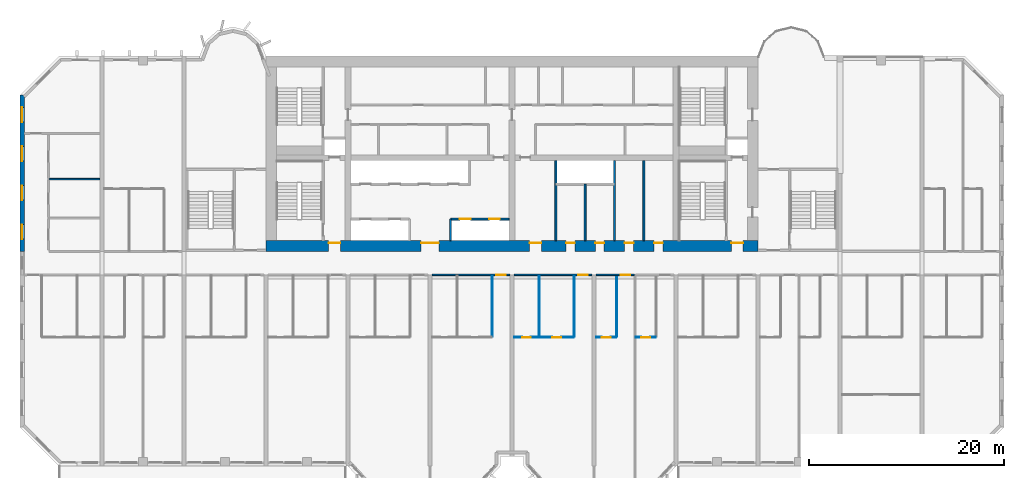
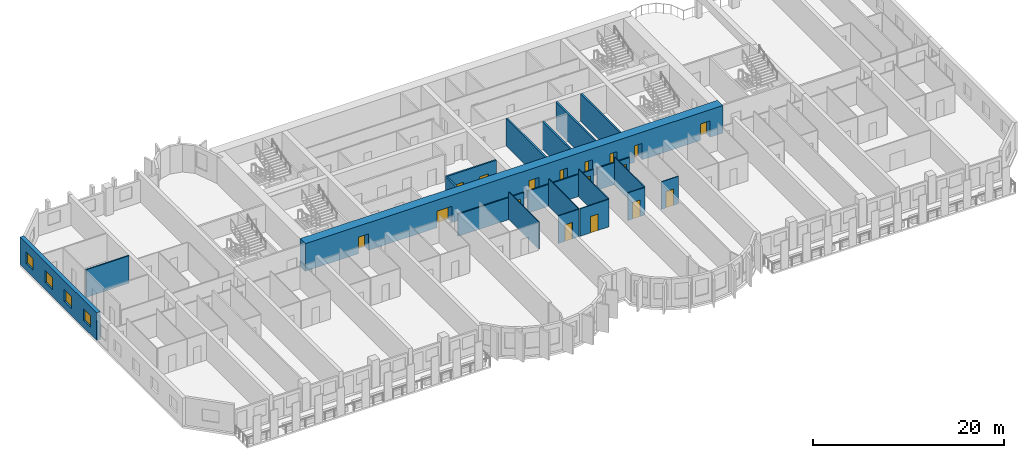
# One storey, part 5 of 14: 20 walls, 17 doors, 4 windows, 21 openings.
"""IFC4 building model written with IfcOpenShell, lengths in metres."""

from ifc_helpers import new_model, si_unit, direction, frame, frame_2d, origin, place, context, subcontext, project, spatial, rectangle, extrude, source, transform, mapped, material, layer, layer_set, type_object, element, fill, save


model = new_model("IFC4")

# Units and contexts
model_context = context("Model", 3, precision=1e-05, world=origin(), true_north=direction((0.0, 1.0)))
body_context = subcontext(model_context, "Body", "Model", "MODEL_VIEW")
ifc_project = project(units=[si_unit("LENGTHUNIT", "METRE"), si_unit("AREAUNIT", "SQUARE_METRE"), si_unit("VOLUMEUNIT", "CUBIC_METRE"), si_unit("PLANEANGLEUNIT", "RADIAN"), si_unit("MASSUNIT", "GRAM", prefix="KILO")], contexts=[model_context])

# Site, building, storey
site_placement = place(None, origin())
site = spatial("IfcSite", under=ifc_project, at=site_placement, CompositionType="ELEMENT")
building_placement = place(site_placement, origin())
building = spatial("IfcBuilding", under=site, at=building_placement, Name="Vanashikhar Sky Hotel", CompositionType="ELEMENT")
storey_placement = place(building_placement, frame((0.0, 0.0, 43.0)))
storey = spatial("IfcBuildingStorey", under=building, at=storey_placement, Name="L09", CompositionType="ELEMENT", Elevation=43.0)

# Wall, openings, doors
ifc_material_1 = material(Name="Concrete M80", Category="concrete")
ifc_layer_1 = layer(ifc_material_1, 1.10009765625)
ifc_layer_set_1 = layer_set([ifc_layer_1], Name="RC core shell wall 1100 Concrete M80")
wall_type_1 = type_object("IfcWallType", Name="RC core shell wall 1100 Concrete M80", PredefinedType="SHEAR", material=ifc_layer_set_1)
shared_shape_1 = source(origin(), body_context, "Body", "SweptSolid", [
    extrude(rectangle(XDim=50.400146484375, YDim=1.10009765625, at=frame_2d((25.2001953125, 0.0))), origin(), (0.0, 0.0, 1.0), 3.52001953125),
])
wall_1_placement = place(storey_placement, frame((25.199951171875, 22.550048828125, 0.0), z_axis=(0.0, 0.0, 1.0), x_axis=(1.0, 0.0, 0.0)))
wall_1 = element("IfcWall", 1, at=wall_1_placement, inside=storey, type_object=wall_type_1, Name="KW-L09-KS", PredefinedType="SHEAR", context=body_context, shape_type="MappedRepresentation", body=[
    mapped(shared_shape_1, transform((0.0, 0.0, 0.0), scale=1.0)),
])
shared_shape_2 = source(origin(), body_context, "Body", "SweptSolid", [
    extrude(rectangle(XDim=1.800048828125, YDim=2.10009765625, at=frame_2d((0.89990234375, 1.050048828125))), frame((0.0, 0.56005859375, 0.0), z_axis=(0.0, -1.0, 0.0), x_axis=(1.0, 0.0, 0.0)), (0.0, 0.0, 1.0), 1.1201171875),
])
opening_1_placement = place(wall_1_placement, frame((15.89990234375, 0.0, 0.0)))
opening_1 = element("IfcOpeningElement", 2, at=opening_1_placement, cuts=wall_1, Name="Opening DC-3-A", PredefinedType="OPENING", context=body_context, shape_type="MappedRepresentation", body=[
    mapped(shared_shape_2, transform((0.0, 0.0, 0.0), scale=1.0)),
])
shared_shape_3 = source(origin(), body_context, "Body", "SweptSolid", [
    extrude(rectangle(XDim=1.199951171875, YDim=2.10009765625, at=frame_2d((0.60009765625, 1.050048828125))), frame((0.0, 0.56005859375, 0.0), z_axis=(0.0, -1.0, 0.0), x_axis=(1.0, 0.0, 0.0)), (0.0, 0.0, 1.0), 1.1201171875),
])
opening_2_placement = place(wall_1_placement, frame((27.0, 0.0, 0.0)))
opening_2 = element("IfcOpeningElement", 3, at=opening_2_placement, cuts=wall_1, Name="Opening DC-4-B", PredefinedType="OPENING", context=body_context, shape_type="MappedRepresentation", body=[
    mapped(shared_shape_3, transform((0.0, 0.0, 0.0), scale=1.0)),
])
shared_shape_4 = source(origin(), body_context, "Body", "SweptSolid", [
    extrude(rectangle(XDim=0.89990234375, YDim=2.10009765625, at=frame_2d((0.449951171875, 1.050048828125))), frame((0.0, 0.56005859375, 0.0), z_axis=(0.0, -1.0, 0.0), x_axis=(1.0, 0.0, 0.0)), (0.0, 0.0, 1.0), 1.1201171875),
])
opening_3_placement = place(wall_1_placement, frame((33.75, 0.0, 0.0)))
opening_3 = element("IfcOpeningElement", 4, at=opening_3_placement, cuts=wall_1, Name="Opening DC-4-A", PredefinedType="OPENING", context=body_context, shape_type="MappedRepresentation", body=[
    mapped(shared_shape_4, transform((0.0, 0.0, 0.0), scale=1.0)),
])
opening_4_placement = place(wall_1_placement, frame((30.75, 0.0, 0.0)))
opening_4 = element("IfcOpeningElement", 5, at=opening_4_placement, cuts=wall_1, Name="Opening DC-4-A", PredefinedType="OPENING", context=body_context, shape_type="MappedRepresentation", body=[
    mapped(shared_shape_4, transform((0.0, 0.0, 0.0), scale=1.0)),
])
opening_5_placement = place(wall_1_placement, frame((39.75, 0.0, 0.0)))
opening_5 = element("IfcOpeningElement", 6, at=opening_5_placement, cuts=wall_1, Name="Opening DC-4-A", PredefinedType="OPENING", context=body_context, shape_type="MappedRepresentation", body=[
    mapped(shared_shape_4, transform((0.0, 0.0, 0.0), scale=1.0)),
])
opening_6_placement = place(wall_1_placement, frame((36.75, 0.0, 0.0)))
opening_6 = element("IfcOpeningElement", 7, at=opening_6_placement, cuts=wall_1, Name="Opening DC-4-A", PredefinedType="OPENING", context=body_context, shape_type="MappedRepresentation", body=[
    mapped(shared_shape_4, transform((0.0, 0.0, 0.0), scale=1.0)),
])
opening_7_placement = place(wall_1_placement, frame((6.425048828125, 0.0, 0.0)))
opening_7 = element("IfcOpeningElement", 8, at=opening_7_placement, cuts=wall_1, Name="Opening DC-2", PredefinedType="OPENING", context=body_context, shape_type="MappedRepresentation", body=[
    mapped(shared_shape_3, transform((0.0, 0.0, 0.0), scale=1.0)),
])
opening_8_placement = place(wall_1_placement, frame((47.675048828125, 0.0, 0.0)))
opening_8 = element("IfcOpeningElement", 9, at=opening_8_placement, cuts=wall_1, Name="Opening DC-2", PredefinedType="OPENING", context=body_context, shape_type="MappedRepresentation", body=[
    mapped(shared_shape_3, transform((0.0, 0.0, 0.0), scale=1.0)),
])
ifc_material_2 = material(Name="Glass", Category="glass")
door_type_1 = type_object("IfcDoorType", Name="Lift lobby entrance door 1800 FD30S", OperationType="NOTDEFINED", PredefinedType="DOOR", material=ifc_material_2)
shared_shape_5 = source(origin(), body_context, "Body", "SweptSolid", [
    extrude(rectangle(XDim=1.800048828125, YDim=2.10009765625, at=frame_2d((0.89990234375, 1.050048828125))), frame((0.0, 0.3251953125, 0.0), z_axis=(0.0, -1.0, 0.0), x_axis=(1.0, 0.0, 0.0)), (0.0, 0.0, 1.0), 0.050048828125),
])
door_1_placement = place(opening_1_placement, origin())
door_1 = element("IfcDoor", 10, at=door_1_placement, inside=storey, type_object=door_type_1, Name="Lift lobby entrance door 1800 FD30S", OperationType="DOUBLE_DOOR_SINGLE_SWING", OverallHeight=2.10009765625, OverallWidth=1.800048828125, PredefinedType="DOOR", context=body_context, shape_type="MappedRepresentation", body=[
    mapped(shared_shape_5, transform((0.0, 0.0, 0.0), scale=1.0)),
])
fill(opening_1, door_1)
ifc_material_3 = material(Name="Steel", Category="steel")
door_type_2 = type_object("IfcDoorType", Name="Service door 1200 FD60", OperationType="NOTDEFINED", PredefinedType="DOOR", material=ifc_material_3)
shared_shape_6 = source(origin(), body_context, "Body", "SweptSolid", [
    extrude(rectangle(XDim=1.199951171875, YDim=2.10009765625, at=frame_2d((0.60009765625, 1.050048828125))), frame((0.0, 0.3251953125, 0.0), z_axis=(0.0, -1.0, 0.0), x_axis=(1.0, 0.0, 0.0)), (0.0, 0.0, 1.0), 0.050048828125),
])
door_2_placement = place(opening_2_placement, origin())
door_2 = element("IfcDoor", 11, at=door_2_placement, inside=storey, type_object=door_type_2, Name="Service door 1200 FD60", OperationType="SINGLE_SWING_RIGHT", OverallHeight=2.10009765625, OverallWidth=1.199951171875, PredefinedType="DOOR", context=body_context, shape_type="MappedRepresentation", body=[
    mapped(shared_shape_6, transform((0.0, 0.0, 0.0), scale=1.0)),
])
fill(opening_2, door_2)
door_type_3 = type_object("IfcDoorType", Name="Firefighting lobby door 1200 FD120", OperationType="NOTDEFINED", PredefinedType="DOOR", material=ifc_material_3)
door_3_placement = place(opening_7_placement, origin())
door_3 = element("IfcDoor", 12, at=door_3_placement, inside=storey, type_object=door_type_3, Name="Firefighting lobby door 1200 FD120", OperationType="SINGLE_SWING_LEFT", OverallHeight=2.10009765625, OverallWidth=1.199951171875, PredefinedType="DOOR", context=body_context, shape_type="MappedRepresentation", body=[
    mapped(shared_shape_6, transform((0.0, 0.0, 0.0), scale=1.0)),
])
fill(opening_7, door_3)
door_4_placement = place(opening_8_placement, origin())
door_4 = element("IfcDoor", 13, at=door_4_placement, inside=storey, type_object=door_type_3, Name="Firefighting lobby door 1200 FD120", OperationType="SINGLE_SWING_RIGHT", OverallHeight=2.10009765625, OverallWidth=1.199951171875, PredefinedType="DOOR", context=body_context, shape_type="MappedRepresentation", body=[
    mapped(shared_shape_6, transform((0.0, 0.0, 0.0), scale=1.0)),
])
fill(opening_8, door_4)
door_type_4 = type_object("IfcDoorType", Name="Service door 900 FD60", OperationType="NOTDEFINED", PredefinedType="DOOR", material=ifc_material_3)
shared_shape_7 = source(origin(), body_context, "Body", "SweptSolid", [
    extrude(rectangle(XDim=0.89990234375, YDim=2.10009765625, at=frame_2d((0.449951171875, 1.050048828125))), frame((0.0, 0.3251953125, 0.0), z_axis=(0.0, -1.0, 0.0), x_axis=(1.0, 0.0, 0.0)), (0.0, 0.0, 1.0), 0.050048828125),
])
door_5_placement = place(opening_3_placement, origin())
door_5 = element("IfcDoor", 14, at=door_5_placement, inside=storey, type_object=door_type_4, Name="Service door 900 FD60", OperationType="SINGLE_SWING_RIGHT", OverallHeight=2.10009765625, OverallWidth=0.89990234375, PredefinedType="DOOR", context=body_context, shape_type="MappedRepresentation", body=[
    mapped(shared_shape_7, transform((0.0, 0.0, 0.0), scale=1.0)),
])
fill(opening_3, door_5)
door_6_placement = place(opening_4_placement, origin())
door_6 = element("IfcDoor", 15, at=door_6_placement, inside=storey, type_object=door_type_4, Name="Service door 900 FD60", OperationType="SINGLE_SWING_LEFT", OverallHeight=2.10009765625, OverallWidth=0.89990234375, PredefinedType="DOOR", context=body_context, shape_type="MappedRepresentation", body=[
    mapped(shared_shape_7, transform((0.0, 0.0, 0.0), scale=1.0)),
])
fill(opening_4, door_6)
door_7_placement = place(opening_5_placement, origin())
door_7 = element("IfcDoor", 16, at=door_7_placement, inside=storey, type_object=door_type_4, Name="Service door 900 FD60", OperationType="SINGLE_SWING_RIGHT", OverallHeight=2.10009765625, OverallWidth=0.89990234375, PredefinedType="DOOR", context=body_context, shape_type="MappedRepresentation", body=[
    mapped(shared_shape_7, transform((0.0, 0.0, 0.0), scale=1.0)),
])
fill(opening_5, door_7)
door_8_placement = place(opening_6_placement, origin())
door_8 = element("IfcDoor", 17, at=door_8_placement, inside=storey, type_object=door_type_4, Name="Service door 900 FD60", OperationType="SINGLE_SWING_LEFT", OverallHeight=2.10009765625, OverallWidth=0.89990234375, PredefinedType="DOOR", context=body_context, shape_type="MappedRepresentation", body=[
    mapped(shared_shape_7, transform((0.0, 0.0, 0.0), scale=1.0)),
])
fill(opening_6, door_8)

# Wall, openings, windows
ifc_layer_2 = layer(ifc_material_1, 0.449951171875)
ifc_layer_set_2 = layer_set([ifc_layer_2], Name="RC shear wall 450 Concrete M80")
wall_type_2 = type_object("IfcWallType", Name="RC shear wall 450 Concrete M80", PredefinedType="SHEAR", material=ifc_layer_set_2)
shared_shape_8 = source(origin(), body_context, "Body", "SweptSolid", [
    extrude(rectangle(XDim=16.0, YDim=0.449951171875, at=frame_2d((8.0, 0.0))), origin(), (0.0, 0.0, 1.0), 3.52001953125),
])
wall_2_placement = place(storey_placement, frame((0.22509765625, 22.0, 0.0), z_axis=(0.0, 0.0, 1.0), x_axis=(0.0, 1.0, 0.0)))
wall_2 = element("IfcWall", 18, at=wall_2_placement, inside=storey, type_object=wall_type_2, Name="CW-L09-XW01-2", PredefinedType="SHEAR", context=body_context, shape_type="MappedRepresentation", body=[
    mapped(shared_shape_8, transform((0.0, 0.0, 0.0), scale=1.0)),
])
shared_shape_9 = source(origin(), body_context, "Body", "SweptSolid", [
    extrude(rectangle(XDim=1.5, YDim=1.5, at=frame_2d((0.75, 0.75))), frame((0.0, 0.23486328125, 0.0), z_axis=(0.0, -1.0, 0.0), x_axis=(1.0, 0.0, 0.0)), (0.0, 0.0, 1.0), 0.469970703125),
])
opening_9_placement = place(wall_2_placement, frame((1.25, 0.0, 0.89990234375)))
opening_9 = element("IfcOpeningElement", 19, at=opening_9_placement, cuts=wall_2, Name="Opening WN-1", PredefinedType="OPENING", context=body_context, shape_type="MappedRepresentation", body=[
    mapped(shared_shape_9, transform((0.0, 0.0, 0.0), scale=1.0)),
])
opening_10_placement = place(wall_2_placement, frame((5.25, 0.0, 0.89990234375)))
opening_10 = element("IfcOpeningElement", 20, at=opening_10_placement, cuts=wall_2, Name="Opening WN-1", PredefinedType="OPENING", context=body_context, shape_type="MappedRepresentation", body=[
    mapped(shared_shape_9, transform((0.0, 0.0, 0.0), scale=1.0)),
])
opening_11_placement = place(wall_2_placement, frame((9.25, 0.0, 0.89990234375)))
opening_11 = element("IfcOpeningElement", 21, at=opening_11_placement, cuts=wall_2, Name="Opening WN-1", PredefinedType="OPENING", context=body_context, shape_type="MappedRepresentation", body=[
    mapped(shared_shape_9, transform((0.0, 0.0, 0.0), scale=1.0)),
])
opening_12_placement = place(wall_2_placement, frame((13.25, 0.0, 0.89990234375)))
opening_12 = element("IfcOpeningElement", 22, at=opening_12_placement, cuts=wall_2, Name="Opening WN-1", PredefinedType="OPENING", context=body_context, shape_type="MappedRepresentation", body=[
    mapped(shared_shape_9, transform((0.0, 0.0, 0.0), scale=1.0)),
])
window_type = type_object("IfcWindowType", Name="Window 1500 x 1500", PartitioningType="SINGLE_PANEL", PredefinedType="WINDOW", material=ifc_material_2)
shared_shape_10 = source(origin(), body_context, "Body", "SweptSolid", [
    extrude(rectangle(XDim=1.5, YDim=1.5, at=frame_2d((0.75, 0.75))), frame((0.0, 0.030029296875, 0.0), z_axis=(0.0, -1.0, 0.0), x_axis=(1.0, 0.0, 0.0)), (0.0, 0.0, 1.0), 0.06005859375),
])
window_1_placement = place(opening_9_placement, origin())
window_1 = element("IfcWindow", 23, at=window_1_placement, inside=storey, type_object=window_type, Name="Window WN-1", OverallHeight=1.5, OverallWidth=1.5, PartitioningType="SINGLE_PANEL", PredefinedType="WINDOW", context=body_context, shape_type="MappedRepresentation", body=[
    mapped(shared_shape_10, transform((0.0, 0.0, 0.0), scale=1.0)),
])
fill(opening_9, window_1)
window_2_placement = place(opening_10_placement, origin())
window_2 = element("IfcWindow", 24, at=window_2_placement, inside=storey, type_object=window_type, Name="Window WN-1", OverallHeight=1.5, OverallWidth=1.5, PartitioningType="SINGLE_PANEL", PredefinedType="WINDOW", context=body_context, shape_type="MappedRepresentation", body=[
    mapped(shared_shape_10, transform((0.0, 0.0, 0.0), scale=1.0)),
])
fill(opening_10, window_2)
window_3_placement = place(opening_11_placement, origin())
window_3 = element("IfcWindow", 25, at=window_3_placement, inside=storey, type_object=window_type, Name="Window WN-1", OverallHeight=1.5, OverallWidth=1.5, PartitioningType="SINGLE_PANEL", PredefinedType="WINDOW", context=body_context, shape_type="MappedRepresentation", body=[
    mapped(shared_shape_10, transform((0.0, 0.0, 0.0), scale=1.0)),
])
fill(opening_11, window_3)
window_4_placement = place(opening_12_placement, origin())
window_4 = element("IfcWindow", 26, at=window_4_placement, inside=storey, type_object=window_type, Name="Window WN-1", OverallHeight=1.5, OverallWidth=1.5, PartitioningType="SINGLE_PANEL", PredefinedType="WINDOW", context=body_context, shape_type="MappedRepresentation", body=[
    mapped(shared_shape_10, transform((0.0, 0.0, 0.0), scale=1.0)),
])
fill(opening_12, window_4)

# Wall, openings, doors
ifc_material_4 = material(Name="Concrete M40", Category="concrete")
ifc_layer_3 = layer(ifc_material_4, 0.199951171875)
ifc_layer_set_3 = layer_set([ifc_layer_3], Name="Shaft wall 200")
wall_type_3 = type_object("IfcWallType", Name="Shaft wall 200", PredefinedType="SOLIDWALL", material=ifc_layer_set_3)
shared_shape_11 = source(origin(), body_context, "Body", "SweptSolid", [
    extrude(rectangle(XDim=6.0, YDim=0.199951171875, at=frame_2d((3.0, 0.0))), origin(), (0.0, 0.0, 1.0), 3.52001953125),
])
wall_3_placement = place(storey_placement, frame((44.10009765625, 25.300048828125, 0.0), z_axis=(0.0, 0.0, 1.0), x_axis=(1.0, 0.0, 0.0)))
wall_3 = element("IfcWall", 27, at=wall_3_placement, inside=storey, type_object=wall_type_3, Name="Shaft wall 200", PredefinedType="SOLIDWALL", context=body_context, shape_type="MappedRepresentation", body=[
    mapped(shared_shape_11, transform((0.0, 0.0, 0.0), scale=1.0)),
])
shared_shape_12 = source(origin(), body_context, "Body", "SweptSolid", [
    extrude(rectangle(XDim=1.10009765625, YDim=2.10009765625, at=frame_2d((0.550048828125, 1.050048828125))), frame((0.0, 0.10986328125, 0.0), z_axis=(0.0, -1.0, 0.0), x_axis=(1.0, 0.0, 0.0)), (0.0, 0.0, 1.0), 0.219970703125),
])
opening_13_placement = place(wall_3_placement, frame((0.949951171875, 0.0, 0.0)))
opening_13 = element("IfcOpeningElement", 28, at=opening_13_placement, cuts=wall_3, Name="Opening LD", PredefinedType="OPENING", context=body_context, shape_type="MappedRepresentation", body=[
    mapped(shared_shape_12, transform((0.0, 0.0, 0.0), scale=1.0)),
])
opening_14_placement = place(wall_3_placement, frame((3.949951171875, 0.0, 0.0)))
opening_14 = element("IfcOpeningElement", 29, at=opening_14_placement, cuts=wall_3, Name="Opening LD", PredefinedType="OPENING", context=body_context, shape_type="MappedRepresentation", body=[
    mapped(shared_shape_12, transform((0.0, 0.0, 0.0), scale=1.0)),
])
ifc_material_5 = material(Name="Stainless steel", Category="steel")
door_type_5 = type_object("IfcDoorType", Name="Lift landing door 1100", OperationType="NOTDEFINED", PredefinedType="DOOR", material=ifc_material_5)
shared_shape_13 = source(origin(), body_context, "Body", "SweptSolid", [
    extrude(rectangle(XDim=1.10009765625, YDim=2.10009765625, at=frame_2d((0.550048828125, 1.050048828125))), frame((0.0, 0.02490234375, 0.0), z_axis=(0.0, -1.0, 0.0), x_axis=(1.0, 0.0, 0.0)), (0.0, 0.0, 1.0), 0.050048828125),
])
door_9_placement = place(opening_13_placement, origin())
door_9 = element("IfcDoor", 30, at=door_9_placement, inside=storey, type_object=door_type_5, Name="Lift landing door 1100", OperationType="SLIDING_TO_LEFT", OverallHeight=2.10009765625, OverallWidth=1.10009765625, PredefinedType="DOOR", context=body_context, shape_type="MappedRepresentation", body=[
    mapped(shared_shape_13, transform((0.0, 0.0, 0.0), scale=1.0)),
])
fill(opening_13, door_9)
door_10_placement = place(opening_14_placement, origin())
door_10 = element("IfcDoor", 31, at=door_10_placement, inside=storey, type_object=door_type_5, Name="Lift landing door 1100", OperationType="SLIDING_TO_RIGHT", OverallHeight=2.10009765625, OverallWidth=1.10009765625, PredefinedType="DOOR", context=body_context, shape_type="MappedRepresentation", body=[
    mapped(shared_shape_13, transform((0.0, 0.0, 0.0), scale=1.0)),
])
fill(opening_14, door_10)

# Walls
shared_shape_14 = source(origin(), body_context, "Body", "SweptSolid", [
    extrude(rectangle(XDim=2.199951171875, YDim=0.199951171875, at=frame_2d((1.10009765625, 0.0))), origin(), (0.0, 0.0, 1.0), 3.52001953125),
])
wall_4_placement = place(storey_placement, frame((44.10009765625, 23.10009765625, 0.0), z_axis=(0.0, 0.0, 1.0), x_axis=(0.0, 1.0, 0.0)))
element("IfcWall", 32, at=wall_4_placement, inside=storey, type_object=wall_type_3, Name="Shaft wall 200", PredefinedType="SOLIDWALL", context=body_context, shape_type="MappedRepresentation", body=[
    mapped(shared_shape_14, transform((0.0, 0.0, 0.0), scale=1.0)),
])
ifc_material_6 = material(Name="Gypsum board partition")
ifc_layer_4 = layer(ifc_material_6, 0.14990234375)
ifc_layer_set_4 = layer_set([ifc_layer_4], Name="Service partition 150")
wall_type_4 = type_object("IfcWallType", Name="Service partition 150", PredefinedType="PARTITIONING", material=ifc_layer_set_4)
shared_shape_15 = source(origin(), body_context, "Body", "SweptSolid", [
    extrude(rectangle(XDim=8.199951171875, YDim=0.199951171875, at=frame_2d((4.10009765625, 0.0))), origin(), (0.0, 0.0, 1.0), 3.52001953125),
])
for number, where, z_axis, x_axis, name in (
    (33, (54.89990234375, 23.10009765625, 0.0), (0.0, 0.0, 1.0), (0.0, 1.0, 0.0), "Service partition 150"),
    (34, (60.89990234375, 23.10009765625, 0.0), (0.0, 0.0, 1.0), (0.0, 1.0, 0.0), "Service partition 150"),
    (35, (63.89990234375, 23.10009765625, 0.0), (0.0, 0.0, 1.0), (0.0, 1.0, 0.0), "Service partition 150"),
):
    element("IfcWall", number, at=place(storey_placement, frame(where, z_axis=z_axis, x_axis=x_axis)), inside=storey, type_object=wall_type_4, Name=name, PredefinedType="PARTITIONING", context=body_context, shape_type="MappedRepresentation", body=[
        mapped(shared_shape_15, transform((0.0, 0.0, 0.0), scale=1.0)),
    ])
shared_shape_16 = source(origin(), body_context, "Body", "SweptSolid", [
    extrude(rectangle(XDim=5.7998046875, YDim=0.199951171875, at=frame_2d((2.89990234375, 0.0))), origin(), (0.0, 0.0, 1.0), 3.52001953125),
])
wall_5_placement = place(storey_placement, frame((57.89990234375, 23.10009765625, 0.0), z_axis=(0.0, 0.0, 1.0), x_axis=(0.0, 1.0, 0.0)))
element("IfcWall", 36, at=wall_5_placement, inside=storey, type_object=wall_type_4, Name="Service partition 150", PredefinedType="PARTITIONING", context=body_context, shape_type="MappedRepresentation", body=[
    mapped(shared_shape_16, transform((0.0, 0.0, 0.0), scale=1.0)),
])

# Wall, opening, door
ifc_material_7 = material(Name="Gypsum plasterboard partition")
ifc_layer_5 = layer(ifc_material_7, 0.10009765625)
ifc_layer_set_5 = layer_set([ifc_layer_5], Name="Wet room partition 100")
wall_type_5 = type_object("IfcWallType", Name="Wet room partition 100", PredefinedType="PARTITIONING", material=ifc_layer_set_5)
shared_shape_17 = source(origin(), body_context, "Body", "SweptSolid", [
    extrude(rectangle(XDim=2.050048828125, YDim=0.10009765625, at=frame_2d((1.02490234375, 0.0))), origin(), (0.0, 0.0, 1.0), 3.52001953125),
])
wall_6_placement = place(storey_placement, frame((59.02490234375, 13.199951171875, 0.0), z_axis=(0.0, 0.0, 1.0), x_axis=(1.0, 0.0, 0.0)))
wall_6 = element("IfcWall", 37, at=wall_6_placement, inside=storey, type_object=wall_type_5, Name="W-L09-PW039", PredefinedType="PARTITIONING", context=body_context, shape_type="MappedRepresentation", body=[
    mapped(shared_shape_17, transform((0.0, 0.0, 0.0), scale=1.0)),
])
shared_shape_18 = source(origin(), body_context, "Body", "SweptSolid", [
    extrude(rectangle(XDim=0.89990234375, YDim=2.10009765625, at=frame_2d((0.449951171875, 1.050048828125))), frame((0.0, 0.06005859375, 0.0), z_axis=(0.0, -1.0, 0.0), x_axis=(1.0, 0.0, 0.0)), (0.0, 0.0, 1.0), 0.1201171875),
])
opening_15_placement = place(wall_6_placement, frame((0.574951171875, 0.0, 0.0)))
opening_15 = element("IfcOpeningElement", 38, at=opening_15_placement, cuts=wall_6, Name="Opening D-02", PredefinedType="OPENING", context=body_context, shape_type="MappedRepresentation", body=[
    mapped(shared_shape_18, transform((0.0, 0.0, 0.0), scale=1.0)),
])
ifc_material_8 = material(Name="Timber door", Category="wood")
door_type_6 = type_object("IfcDoorType", Name="Internal door 900", OperationType="NOTDEFINED", PredefinedType="DOOR", material=ifc_material_8)
shared_shape_19 = source(origin(), body_context, "Body", "SweptSolid", [
    extrude(rectangle(XDim=0.89990234375, YDim=2.10009765625, at=frame_2d((0.449951171875, 1.050048828125))), frame((0.0, 0.02490234375, 0.0), z_axis=(0.0, -1.0, 0.0), x_axis=(1.0, 0.0, 0.0)), (0.0, 0.0, 1.0), 0.050048828125),
])
door_11_placement = place(opening_15_placement, origin())
door_11 = element("IfcDoor", 39, at=door_11_placement, inside=storey, type_object=door_type_6, Name="D-L09-023", OperationType="SINGLE_SWING_RIGHT", OverallHeight=2.10009765625, OverallWidth=0.89990234375, PredefinedType="DOOR", context=body_context, shape_type="MappedRepresentation", body=[
    mapped(shared_shape_19, transform((0.0, 0.0, 0.0), scale=1.0)),
])
fill(opening_15, door_11)

wall_7_placement = place(storey_placement, frame((63.074951171875, 13.199951171875, 0.0), z_axis=(0.0, 0.0, 1.0), x_axis=(1.0, 0.0, 0.0)))
wall_7 = element("IfcWall", 40, at=wall_7_placement, inside=storey, type_object=wall_type_5, Name="W-L09-PW042", PredefinedType="PARTITIONING", context=body_context, shape_type="MappedRepresentation", body=[
    mapped(shared_shape_17, transform((0.0, 0.0, 0.0), scale=1.0)),
])
opening_16_placement = place(wall_7_placement, frame((0.574951171875, 0.0, 0.0)))
opening_16 = element("IfcOpeningElement", 41, at=opening_16_placement, cuts=wall_7, Name="Opening D-02", PredefinedType="OPENING", context=body_context, shape_type="MappedRepresentation", body=[
    mapped(shared_shape_18, transform((0.0, 0.0, 0.0), scale=1.0)),
])
door_12_placement = place(opening_16_placement, origin())
door_12 = element("IfcDoor", 42, at=door_12_placement, inside=storey, type_object=door_type_6, Name="D-L09-025", OperationType="SINGLE_SWING_RIGHT", OverallHeight=2.10009765625, OverallWidth=0.89990234375, PredefinedType="DOOR", context=body_context, shape_type="MappedRepresentation", body=[
    mapped(shared_shape_19, transform((0.0, 0.0, 0.0), scale=1.0)),
])
fill(opening_16, door_12)

ifc_layer_6 = layer(ifc_material_7, 0.14990234375)
ifc_layer_set_6 = layer_set([ifc_layer_6], Name="Corridor and demising partition 150")
wall_type_6 = type_object("IfcWallType", Name="Corridor and demising partition 150", PredefinedType="PARTITIONING", material=ifc_layer_set_6)
shared_shape_20 = source(origin(), body_context, "Body", "SweptSolid", [
    extrude(rectangle(XDim=3.900146484375, YDim=0.14990234375, at=frame_2d((1.9501953125, 0.0))), origin(), (0.0, 0.0, 1.0), 2.820068359375),
])
wall_8_placement = place(storey_placement, frame((59.02490234375, 19.60009765625, 0.0), z_axis=(0.0, 0.0, 1.0), x_axis=(1.0, 0.0, 0.0)))
wall_8 = element("IfcWall", 43, at=wall_8_placement, inside=storey, type_object=wall_type_6, Name="W-L09-PW040", PredefinedType="PARTITIONING", context=body_context, shape_type="MappedRepresentation", body=[
    mapped(shared_shape_20, transform((0.0, 0.0, 0.0), scale=1.0)),
])
shared_shape_21 = source(origin(), body_context, "Body", "SweptSolid", [
    extrude(rectangle(XDim=1.0, YDim=2.10009765625, at=frame_2d((0.5, 1.050048828125))), frame((0.0, 0.0849609375, 0.0), z_axis=(0.0, -1.0, 0.0), x_axis=(1.0, 0.0, 0.0)), (0.0, 0.0, 1.0), 0.169921875),
])
opening_17_placement = place(wall_8_placement, frame((2.5, 0.0, 0.0)))
opening_17 = element("IfcOpeningElement", 44, at=opening_17_placement, cuts=wall_8, Name="Opening D-01", PredefinedType="OPENING", context=body_context, shape_type="MappedRepresentation", body=[
    mapped(shared_shape_21, transform((0.0, 0.0, 0.0), scale=1.0)),
])
ifc_material_9 = material(Name="Timber fire door", Category="wood")
door_type_7 = type_object("IfcDoorType", Name="Guest entry door 1000 FD30S", OperationType="NOTDEFINED", PredefinedType="DOOR", material=ifc_material_9)
shared_shape_22 = source(origin(), body_context, "Body", "SweptSolid", [
    extrude(rectangle(XDim=1.0, YDim=2.10009765625, at=frame_2d((0.5, 1.050048828125))), frame((0.0, 0.02490234375, 0.0), z_axis=(0.0, -1.0, 0.0), x_axis=(1.0, 0.0, 0.0)), (0.0, 0.0, 1.0), 0.050048828125),
])
door_13_placement = place(opening_17_placement, origin())
door_13 = element("IfcDoor", 45, at=door_13_placement, inside=storey, type_object=door_type_7, Name="D-L09-024", OperationType="SINGLE_SWING_RIGHT", OverallHeight=2.10009765625, OverallWidth=1.0, PredefinedType="DOOR", context=body_context, shape_type="MappedRepresentation", body=[
    mapped(shared_shape_22, transform((0.0, 0.0, 0.0), scale=1.0)),
])
fill(opening_17, door_13)

# Wall
shared_shape_23 = source(origin(), body_context, "Body", "SweptSolid", [
    extrude(rectangle(XDim=5.175048828125, YDim=0.14990234375, at=frame_2d((2.58740234375, 0.0))), origin(), (0.0, 0.0, 1.0), 3.52001953125),
])
wall_9_placement = place(storey_placement, frame((3.0, 29.39990234375, 0.0), z_axis=(0.0, 0.0, 1.0), x_axis=(1.0, 0.0, 0.0)))
element("IfcWall", 46, at=wall_9_placement, inside=storey, type_object=wall_type_6, Name="W-L09-PW074", PredefinedType="PARTITIONING", context=body_context, shape_type="MappedRepresentation", body=[
    mapped(shared_shape_23, transform((0.0, 0.0, 0.0), scale=1.0)),
])

# Wall, opening, door
shared_shape_24 = source(origin(), body_context, "Body", "SweptSolid", [
    extrude(rectangle(XDim=3.5, YDim=0.10009765625, at=frame_2d((1.75, 0.0))), origin(), (0.0, 0.0, 1.0), 3.52001953125),
])
wall_10_placement = place(storey_placement, frame((53.22509765625, 13.199951171875, 0.0), z_axis=(0.0, 0.0, 1.0), x_axis=(1.0, 0.0, 0.0)))
wall_10 = element("IfcWall", 47, at=wall_10_placement, inside=storey, type_object=wall_type_5, Name="W-L09-PW035", PredefinedType="PARTITIONING", context=body_context, shape_type="MappedRepresentation", body=[
    mapped(shared_shape_24, transform((0.0, 0.0, 0.0), scale=1.0)),
])
opening_18_placement = place(wall_10_placement, frame((1.300048828125, 0.0, 0.0)))
opening_18 = element("IfcOpeningElement", 48, at=opening_18_placement, cuts=wall_10, Name="Opening D-02", PredefinedType="OPENING", context=body_context, shape_type="MappedRepresentation", body=[
    mapped(shared_shape_18, transform((0.0, 0.0, 0.0), scale=1.0)),
])
door_14_placement = place(opening_18_placement, origin())
door_14 = element("IfcDoor", 49, at=door_14_placement, inside=storey, type_object=door_type_6, Name="D-L09-020", OperationType="SINGLE_SWING_RIGHT", OverallHeight=2.10009765625, OverallWidth=0.89990234375, PredefinedType="DOOR", context=body_context, shape_type="MappedRepresentation", body=[
    mapped(shared_shape_19, transform((0.0, 0.0, 0.0), scale=1.0)),
])
fill(opening_18, door_14)

# Walls
shared_shape_25 = source(origin(), body_context, "Body", "SweptSolid", [
    extrude(rectangle(XDim=6.25, YDim=0.10009765625, at=frame_2d((3.125, 0.0))), origin(), (0.0, 0.0, 1.0), 3.52001953125),
])
for number, where, z_axis, x_axis, name in (
    (50, (48.375, 13.27490234375, 0.0), (0.0, 0.0, 1.0), (0.0, 1.0, 0.0), "W-L09-PW028"),
    (51, (56.77490234375, 13.27490234375, 0.0), (0.0, 0.0, 1.0), (0.0, 1.0, 0.0), "W-L09-PW033"),
    (52, (53.175048828125, 13.27490234375, 0.0), (0.0, 0.0, 1.0), (0.0, 1.0, 0.0), "W-L09-PW034"),
    (53, (61.125, 13.27490234375, 0.0), (0.0, 0.0, 1.0), (0.0, 1.0, 0.0), "W-L09-PW038"),
):
    element("IfcWall", number, at=place(storey_placement, frame(where, z_axis=z_axis, x_axis=x_axis)), inside=storey, type_object=wall_type_5, Name=name, PredefinedType="PARTITIONING", context=body_context, shape_type="MappedRepresentation", body=[
        mapped(shared_shape_25, transform((0.0, 0.0, 0.0), scale=1.0)),
    ])

# Wall, opening, door
shared_shape_26 = source(origin(), body_context, "Body", "SweptSolid", [
    extrude(rectangle(XDim=2.5, YDim=0.10009765625, at=frame_2d((1.25, 0.0))), origin(), (0.0, 0.0, 1.0), 3.52001953125),
])
wall_11_placement = place(storey_placement, frame((50.625, 13.199951171875, 0.0), z_axis=(0.0, 0.0, 1.0), x_axis=(1.0, 0.0, 0.0)))
wall_11 = element("IfcWall", 54, at=wall_11_placement, inside=storey, type_object=wall_type_5, Name="W-L09-PW036", PredefinedType="PARTITIONING", context=body_context, shape_type="MappedRepresentation", body=[
    mapped(shared_shape_26, transform((0.0, 0.0, 0.0), scale=1.0)),
])
opening_19_placement = place(wall_11_placement, frame((0.800048828125, 0.0, 0.0)))
opening_19 = element("IfcOpeningElement", 55, at=opening_19_placement, cuts=wall_11, Name="Opening D-02", PredefinedType="OPENING", context=body_context, shape_type="MappedRepresentation", body=[
    mapped(shared_shape_18, transform((0.0, 0.0, 0.0), scale=1.0)),
])
door_15_placement = place(opening_19_placement, origin())
door_15 = element("IfcDoor", 56, at=door_15_placement, inside=storey, type_object=door_type_6, Name="D-L09-021", OperationType="SINGLE_SWING_RIGHT", OverallHeight=2.10009765625, OverallWidth=0.89990234375, PredefinedType="DOOR", context=body_context, shape_type="MappedRepresentation", body=[
    mapped(shared_shape_19, transform((0.0, 0.0, 0.0), scale=1.0)),
])
fill(opening_19, door_15)

shared_shape_27 = source(origin(), body_context, "Body", "SweptSolid", [
    extrude(rectangle(XDim=7.949951171875, YDim=0.14990234375, at=frame_2d((3.97509765625, 0.0))), origin(), (0.0, 0.0, 1.0), 2.820068359375),
])
wall_12_placement = place(storey_placement, frame((42.22509765625, 19.60009765625, 0.0), z_axis=(0.0, 0.0, 1.0), x_axis=(1.0, 0.0, 0.0)))
wall_12 = element("IfcWall", 57, at=wall_12_placement, inside=storey, type_object=wall_type_6, Name="W-L09-PW032", PredefinedType="PARTITIONING", context=body_context, shape_type="MappedRepresentation", body=[
    mapped(shared_shape_27, transform((0.0, 0.0, 0.0), scale=1.0)),
])
opening_20_placement = place(wall_12_placement, frame((6.550048828125, 0.0, 0.0)))
opening_20 = element("IfcOpeningElement", 58, at=opening_20_placement, cuts=wall_12, Name="Opening D-01", PredefinedType="OPENING", context=body_context, shape_type="MappedRepresentation", body=[
    mapped(shared_shape_21, transform((0.0, 0.0, 0.0), scale=1.0)),
])
door_16_placement = place(opening_20_placement, origin())
door_16 = element("IfcDoor", 59, at=door_16_placement, inside=storey, type_object=door_type_7, Name="D-L09-019", OperationType="SINGLE_SWING_RIGHT", OverallHeight=2.10009765625, OverallWidth=1.0, PredefinedType="DOOR", context=body_context, shape_type="MappedRepresentation", body=[
    mapped(shared_shape_22, transform((0.0, 0.0, 0.0), scale=1.0)),
])
fill(opening_20, door_16)

wall_13_placement = place(storey_placement, frame((50.625, 19.60009765625, 0.0), z_axis=(0.0, 0.0, 1.0), x_axis=(1.0, 0.0, 0.0)))
wall_13 = element("IfcWall", 60, at=wall_13_placement, inside=storey, type_object=wall_type_6, Name="W-L09-PW037", PredefinedType="PARTITIONING", context=body_context, shape_type="MappedRepresentation", body=[
    mapped(shared_shape_27, transform((0.0, 0.0, 0.0), scale=1.0)),
])
opening_21_placement = place(wall_13_placement, frame((6.550048828125, 0.0, 0.0)))
opening_21 = element("IfcOpeningElement", 61, at=opening_21_placement, cuts=wall_13, Name="Opening D-01", PredefinedType="OPENING", context=body_context, shape_type="MappedRepresentation", body=[
    mapped(shared_shape_21, transform((0.0, 0.0, 0.0), scale=1.0)),
])
door_17_placement = place(opening_21_placement, origin())
door_17 = element("IfcDoor", 62, at=door_17_placement, inside=storey, type_object=door_type_7, Name="D-L09-022", OperationType="SINGLE_SWING_RIGHT", OverallHeight=2.10009765625, OverallWidth=1.0, PredefinedType="DOOR", context=body_context, shape_type="MappedRepresentation", body=[
    mapped(shared_shape_22, transform((0.0, 0.0, 0.0), scale=1.0)),
])
fill(opening_21, door_17)

save(model, "model.ifc")
